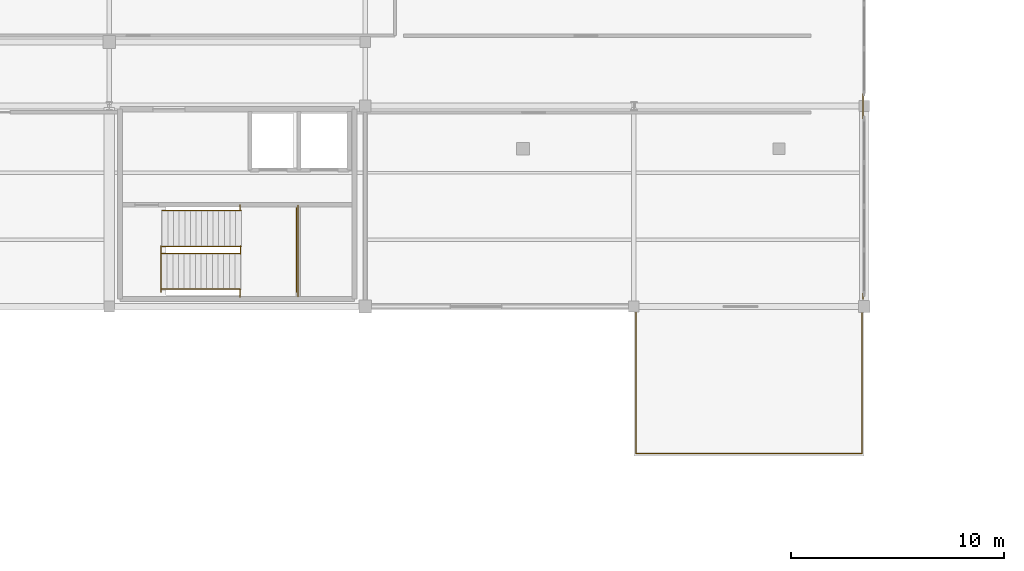
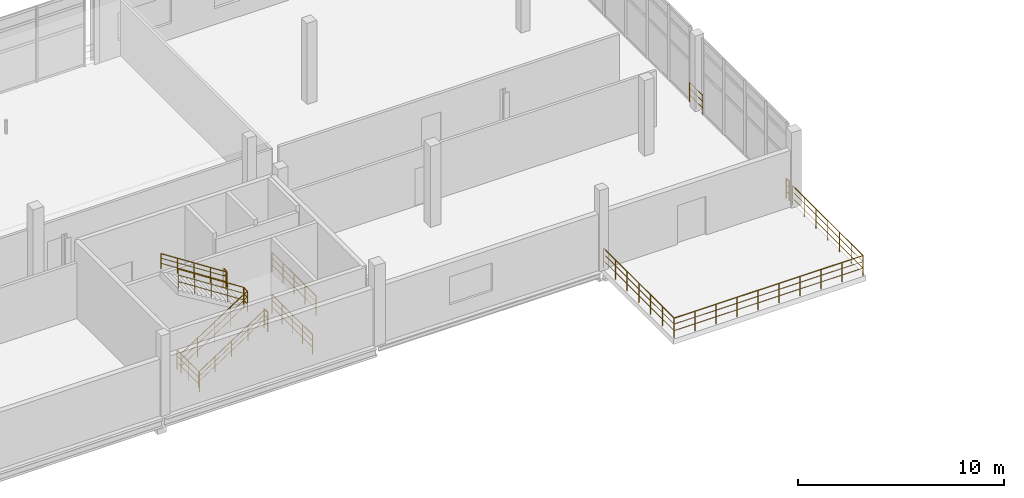
# One storey, part 49 of 52: 15 railings.
"""IFC4 building model written with IfcOpenShell, lengths in metres."""

from ifc_helpers import new_model, si_unit, direction, frame, origin, origin_2d, place, context, subcontext, project, spatial, circle, extrude, material, layer, layer_set, type_object, element, save


model = new_model("IFC4")

# Units and contexts
model_context = context("Model", 3, precision=1e-05, world=origin(), true_north=direction((0.0, 1.0)))
body_context = subcontext(model_context, "Body", "Model", "MODEL_VIEW")
ifc_project = project(units=[si_unit("LENGTHUNIT", "METRE"), si_unit("AREAUNIT", "SQUARE_METRE"), si_unit("VOLUMEUNIT", "CUBIC_METRE"), si_unit("PLANEANGLEUNIT", "RADIAN"), si_unit("MASSUNIT", "GRAM", prefix="KILO"), si_unit("THERMODYNAMICTEMPERATUREUNIT", "KELVIN"), si_unit("POWERUNIT", "WATT")], contexts=[model_context])

# Site, building, storey
site_placement = place(None, origin())
site = spatial("IfcSite", under=ifc_project, at=site_placement, CompositionType="ELEMENT")
building_placement = place(site_placement, origin())
building = spatial("IfcBuilding", under=site, at=building_placement, Name="Solmara Park Aquatics Centre", CompositionType="ELEMENT")
storey_placement = place(building_placement, frame((0.0, 0.0, 9.60009765625)))
storey = spatial("IfcBuildingStorey", under=building, at=storey_placement, Name="L02", CompositionType="ELEMENT", Elevation=9.60009765625)

# Railings
ifc_material_1 = material(Name="Laminated Safety Glass and Stainless Steel Guardrail", Category="steel")
ifc_layer_1 = layer(ifc_material_1, 0.06005859375, Name="Laminated Safety Glass and Stainless Steel Guardrail")
ifc_layer_set_1 = layer_set([ifc_layer_1], Name="Laminated Safety Glass and Stainless Steel Guardrail")
railing_type_1 = type_object("IfcRailingType", Name="ARC-RL-BAL110", PredefinedType="GUARDRAIL", material=ifc_layer_set_1)
railing_1_placement = place(storey_placement, frame((109.300048828125, 101.699951171875, 0.0)))
element("IfcRailing", 1, at=railing_1_placement, inside=storey, type_object=railing_type_1, Name="Belvedere Terrace Guardrail RL-TER-L02-S", PredefinedType="GUARDRAIL", context=body_context, shape_type="SweptSolid", body=[
    extrude(circle(Radius=0.02392578125, at=origin_2d()), frame((0.0, 0.0, 1.15576171875), z_axis=(1.0, 0.0, 0.0), x_axis=(0.0, 1.0, 0.0)), (0.0, 0.0, 1.0), 10.599853515625),
    extrude(circle(Radius=0.01416015625, at=origin_2d()), frame((0.0, 0.0, 0.4130859375), z_axis=(1.0, 0.0, 0.0), x_axis=(0.0, 1.0, 0.0)), (0.0, 0.0, 1.0), 10.599853515625),
    extrude(circle(Radius=0.01416015625, at=origin_2d()), frame((0.0, 0.0, 0.80224609375), z_axis=(1.0, 0.0, 0.0), x_axis=(0.0, 1.0, 0.0)), (0.0, 0.0, 1.0), 10.599853515625),
    extrude(circle(Radius=0.02099609375, at=origin_2d()), origin(), (0.0, 0.0, 1.0), 1.1318359375),
    extrude(circle(Radius=0.02099609375, at=origin_2d()), frame((1.177734375, 0.0, 0.0)), (0.0, 0.0, 1.0), 1.1318359375),
    extrude(circle(Radius=0.02099609375, at=origin_2d()), frame((2.35546875, 0.0, 0.0)), (0.0, 0.0, 1.0), 1.1318359375),
    extrude(circle(Radius=0.02099609375, at=origin_2d()), frame((3.533203125, 0.0, 0.0)), (0.0, 0.0, 1.0), 1.1318359375),
    extrude(circle(Radius=0.02099609375, at=origin_2d()), frame((4.7109375, 0.0, 0.0)), (0.0, 0.0, 1.0), 1.1318359375),
    extrude(circle(Radius=0.02099609375, at=origin_2d()), frame((5.888916015625, 0.0, 0.0)), (0.0, 0.0, 1.0), 1.1318359375),
    extrude(circle(Radius=0.02099609375, at=origin_2d()), frame((7.066650390625, 0.0, 0.0)), (0.0, 0.0, 1.0), 1.1318359375),
    extrude(circle(Radius=0.02099609375, at=origin_2d()), frame((8.244384765625, 0.0, 0.0)), (0.0, 0.0, 1.0), 1.1318359375),
    extrude(circle(Radius=0.02099609375, at=origin_2d()), frame((9.422119140625, 0.0, 0.0)), (0.0, 0.0, 1.0), 1.1318359375),
    extrude(circle(Radius=0.02099609375, at=origin_2d()), frame((10.599853515625, 0.0, 0.0)), (0.0, 0.0, 1.0), 1.1318359375),
])
for number, where, name in (
    (2, (109.300048828125, 101.699951171875, 0.0), "Belvedere Terrace Guardrail RL-TER-L02-W"),
    (3, (119.89990234375, 101.699951171875, 0.0), "Belvedere Terrace Guardrail RL-TER-L02-E"),
):
    element("IfcRailing", number, at=place(storey_placement, frame(where)), inside=storey, type_object=railing_type_1, Name=name, PredefinedType="GUARDRAIL", context=body_context, shape_type="SweptSolid", body=[
        extrude(circle(Radius=0.02392578125, at=origin_2d()), frame((0.0, 0.0, 1.15576171875), z_axis=(0.0, 1.0, 0.0), x_axis=(-1.0, 0.0, 0.0)), (0.0, 0.0, 1.0), 6.85009765625),
        extrude(circle(Radius=0.01416015625, at=origin_2d()), frame((0.0, 0.0, 0.4130859375), z_axis=(0.0, 1.0, 0.0), x_axis=(-1.0, 0.0, 0.0)), (0.0, 0.0, 1.0), 6.85009765625),
        extrude(circle(Radius=0.01416015625, at=origin_2d()), frame((0.0, 0.0, 0.80224609375), z_axis=(0.0, 1.0, 0.0), x_axis=(-1.0, 0.0, 0.0)), (0.0, 0.0, 1.0), 6.85009765625),
        extrude(circle(Radius=0.02099609375, at=origin_2d()), origin(), (0.0, 0.0, 1.0), 1.1318359375),
        extrude(circle(Radius=0.02099609375, at=origin_2d()), frame((0.0, 1.1416015625, 0.0)), (0.0, 0.0, 1.0), 1.1318359375),
        extrude(circle(Radius=0.02099609375, at=origin_2d()), frame((0.0, 2.283447265625, 0.0)), (0.0, 0.0, 1.0), 1.1318359375),
        extrude(circle(Radius=0.02099609375, at=origin_2d()), frame((0.0, 3.425048828125, 0.0)), (0.0, 0.0, 1.0), 1.1318359375),
        extrude(circle(Radius=0.02099609375, at=origin_2d()), frame((0.0, 4.566650390625, 0.0)), (0.0, 0.0, 1.0), 1.1318359375),
        extrude(circle(Radius=0.02099609375, at=origin_2d()), frame((0.0, 5.70849609375, 0.0)), (0.0, 0.0, 1.0), 1.1318359375),
        extrude(circle(Radius=0.02099609375, at=origin_2d()), frame((0.0, 6.85009765625, 0.0)), (0.0, 0.0, 1.0), 1.1318359375),
    ])
ifc_material_2 = material(Name="Brushed Marine-Grade Stainless Steel 316L Handrail", Category="steel")
ifc_layer_2 = layer(ifc_material_2, 0.044921875, Name="Brushed Marine-Grade Stainless Steel 316L Handrail")
ifc_layer_set_2 = layer_set([ifc_layer_2], Name="Brushed Marine-Grade Stainless Steel 316L Handrail")
railing_type_2 = type_object("IfcRailingType", Name="ARC-RL-HND090", PredefinedType="HANDRAIL", material=ifc_layer_set_2)
railing_2_placement = place(storey_placement, frame((87.050048828125, 109.409912109375, 0.159912109375)))
element("IfcRailing", 4, at=railing_2_placement, inside=storey, type_object=railing_type_2, Name="ST-02 Protected Exit Stair (L02 to L03) Flight 1 Outer Handrail", PredefinedType="HANDRAIL", context=body_context, shape_type="SweptSolid", body=[
    extrude(circle(Radius=0.02392578125, at=origin_2d()), frame((0.0, 0.0, 0.89599609375), z_axis=(0.839638341943, 0.0, 0.543145887161), x_axis=(0.0, 1.0, 0.0)), (0.0, 0.0, 1.0), 4.41845703125),
    extrude(circle(Radius=0.01416015625, at=origin_2d()), frame((0.0, 0.0, 0.322021484375), z_axis=(0.839638341943, 0.0, 0.543145887161), x_axis=(0.0, 1.0, 0.0)), (0.0, 0.0, 1.0), 4.41845703125),
    extrude(circle(Radius=0.01416015625, at=origin_2d()), frame((0.0, 0.0, 0.62548828125), z_axis=(0.839638341943, 0.0, 0.543145887161), x_axis=(0.0, 1.0, 0.0)), (0.0, 0.0, 1.0), 4.41845703125),
    extrude(circle(Radius=0.02099609375, at=origin_2d()), origin(), (0.0, 0.0, 1.0), 0.871826171875),
    extrude(circle(Radius=0.02099609375, at=origin_2d()), frame((0.927490234375, 0.0, 0.60009765625)), (0.0, 0.0, 1.0), 0.871826171875),
    extrude(circle(Radius=0.02099609375, at=origin_2d()), frame((1.85498046875, 0.0, 1.199951171875)), (0.0, 0.0, 1.0), 0.871826171875),
    extrude(circle(Radius=0.02099609375, at=origin_2d()), frame((2.782470703125, 0.0, 1.7998046875)), (0.0, 0.0, 1.0), 0.871826171875),
    extrude(circle(Radius=0.02099609375, at=origin_2d()), frame((3.7099609375, 0.0, 2.39990234375)), (0.0, 0.0, 1.0), 0.871826171875),
])
railing_3_placement = place(storey_placement, frame((90.7900390625, 113.090087890625, 2.559814453125)))
element("IfcRailing", 5, at=railing_3_placement, inside=storey, type_object=railing_type_2, Name="ST-02 Protected Exit Stair (L02 to L03) Flight 2 Outer Handrail", PredefinedType="HANDRAIL", context=body_context, shape_type="SweptSolid", body=[
    extrude(circle(Radius=0.02392578125, at=origin_2d()), frame((0.0, 0.0, 0.89599609375), z_axis=(-0.839613143467, 0.0, 0.543184838999), x_axis=(0.0, -1.0, 0.0)), (0.0, 0.0, 1.0), 4.418701171875),
    extrude(circle(Radius=0.01416015625, at=origin_2d()), frame((0.0, 0.0, 0.322021484375), z_axis=(-0.839613143467, 0.0, 0.543184838999), x_axis=(0.0, -1.0, 0.0)), (0.0, 0.0, 1.0), 4.418701171875),
    extrude(circle(Radius=0.01416015625, at=origin_2d()), frame((0.0, 0.0, 0.62548828125), z_axis=(-0.839613143467, 0.0, 0.543184838999), x_axis=(0.0, -1.0, 0.0)), (0.0, 0.0, 1.0), 4.418701171875),
    extrude(circle(Radius=0.02099609375, at=origin_2d()), origin(), (0.0, 0.0, 1.0), 0.871826171875),
    extrude(circle(Radius=0.02099609375, at=origin_2d()), frame((-0.927490234375, 0.0, 0.60009765625)), (0.0, 0.0, 1.0), 0.871826171875),
    extrude(circle(Radius=0.02099609375, at=origin_2d()), frame((-1.85498046875, 0.0, 1.2001953125)), (0.0, 0.0, 1.0), 0.871826171875),
    extrude(circle(Radius=0.02099609375, at=origin_2d()), frame((-2.782470703125, 0.0, 1.800048828125)), (0.0, 0.0, 1.0), 0.871826171875),
    extrude(circle(Radius=0.02099609375, at=origin_2d()), frame((-3.7099609375, 0.0, 2.400146484375)), (0.0, 0.0, 1.0), 0.871826171875),
])
ifc_material_3 = material(Name="Toughened Glass and Stainless Steel Stand Guardrail", Category="steel")
ifc_layer_3 = layer(ifc_material_3, 0.06005859375, Name="Toughened Glass and Stainless Steel Stand Guardrail")
ifc_layer_set_3 = layer_set([ifc_layer_3], Name="Toughened Glass and Stainless Steel Stand Guardrail")
railing_type_3 = type_object("IfcRailingType", Name="ARC-RL-STD110", PredefinedType="GUARDRAIL", material=ifc_layer_set_3)
railing_4_placement = place(storey_placement, frame((119.93994140625, 118.6201171875, 0.0)))
element("IfcRailing", 6, at=railing_4_placement, inside=storey, type_object=railing_type_3, Name="L02 Slab Edge Guardrail 103", PredefinedType="GUARDRAIL", context=body_context, shape_type="SweptSolid", body=[
    extrude(circle(Radius=0.02392578125, at=origin_2d()), frame((0.0, 0.0, 1.15576171875), z_axis=(0.0, -1.0, 0.0), x_axis=(1.0, 0.0, 0.0)), (0.0, 0.0, 1.0), 1.280029296875),
    extrude(circle(Radius=0.01416015625, at=origin_2d()), frame((0.0, 0.0, 0.4130859375), z_axis=(0.0, -1.0, 0.0), x_axis=(1.0, 0.0, 0.0)), (0.0, 0.0, 1.0), 1.280029296875),
    extrude(circle(Radius=0.01416015625, at=origin_2d()), frame((0.0, 0.0, 0.80224609375), z_axis=(0.0, -1.0, 0.0), x_axis=(1.0, 0.0, 0.0)), (0.0, 0.0, 1.0), 1.280029296875),
    extrude(circle(Radius=0.02099609375, at=origin_2d()), origin(), (0.0, 0.0, 1.0), 1.1318359375),
    extrude(circle(Radius=0.02099609375, at=origin_2d()), frame((0.0, -0.64013671875, 0.0)), (0.0, 0.0, 1.0), 1.1318359375),
    extrude(circle(Radius=0.02099609375, at=origin_2d()), frame((0.0, -1.280029296875, 0.0)), (0.0, 0.0, 1.0), 1.1318359375),
])
railing_5_placement = place(storey_placement, frame((119.93994140625, 109.219970703125, 0.0)))
element("IfcRailing", 7, at=railing_5_placement, inside=storey, type_object=railing_type_3, Name="L02 Slab Edge Guardrail 104", PredefinedType="GUARDRAIL", context=body_context, shape_type="SweptSolid", body=[
    extrude(circle(Radius=0.02392578125, at=origin_2d()), frame((0.0, 0.0, 1.15576171875), z_axis=(0.0, -1.0, 0.0), x_axis=(1.0, 0.0, 0.0)), (0.0, 0.0, 1.0), 0.27001953125),
    extrude(circle(Radius=0.01416015625, at=origin_2d()), frame((0.0, 0.0, 0.4130859375), z_axis=(0.0, -1.0, 0.0), x_axis=(1.0, 0.0, 0.0)), (0.0, 0.0, 1.0), 0.27001953125),
    extrude(circle(Radius=0.01416015625, at=origin_2d()), frame((0.0, 0.0, 0.80224609375), z_axis=(0.0, -1.0, 0.0), x_axis=(1.0, 0.0, 0.0)), (0.0, 0.0, 1.0), 0.27001953125),
    extrude(circle(Radius=0.02099609375, at=origin_2d()), origin(), (0.0, 0.0, 1.0), 1.1318359375),
    extrude(circle(Radius=0.02099609375, at=origin_2d()), frame((0.0, -0.27001953125, 0.0)), (0.0, 0.0, 1.0), 1.1318359375),
])
ifc_material_4 = material(Name="Brushed Stainless Steel Guardrail", Category="steel")
ifc_layer_4 = layer(ifc_material_4, 0.050048828125, Name="Brushed Stainless Steel Guardrail")
ifc_layer_set_4 = layer_set([ifc_layer_4], Name="Brushed Stainless Steel Guardrail")
railing_type_4 = type_object("IfcRailingType", Name="ARC-RL-STR110", PredefinedType="GUARDRAIL", material=ifc_layer_set_4)
railing_6_placement = place(storey_placement, frame((87.030029296875, 109.27001953125, 0.0)))
element("IfcRailing", 8, at=railing_6_placement, inside=storey, type_object=railing_type_4, Name="ST-02 Protected Exit Stair (L01 to L02) Arrival Well Guardrail", PredefinedType="GUARDRAIL", context=body_context, shape_type="SweptSolid", body=[
    extrude(circle(Radius=0.02392578125, at=origin_2d()), frame((0.0, 0.0, 1.15576171875), z_axis=(0.0, 1.0, 0.0), x_axis=(-1.0, 0.0, 0.0)), (0.0, 0.0, 1.0), 2.169921875),
    extrude(circle(Radius=0.01416015625, at=origin_2d()), frame((0.0, 0.0, 0.4130859375), z_axis=(0.0, 1.0, 0.0), x_axis=(-1.0, 0.0, 0.0)), (0.0, 0.0, 1.0), 2.169921875),
    extrude(circle(Radius=0.01416015625, at=origin_2d()), frame((0.0, 0.0, 0.80224609375), z_axis=(0.0, 1.0, 0.0), x_axis=(-1.0, 0.0, 0.0)), (0.0, 0.0, 1.0), 2.169921875),
    extrude(circle(Radius=0.02099609375, at=origin_2d()), origin(), (0.0, 0.0, 1.0), 1.1318359375),
    extrude(circle(Radius=0.02099609375, at=origin_2d()), frame((0.0, 1.0849609375, 0.0)), (0.0, 0.0, 1.0), 1.1318359375),
    extrude(circle(Radius=0.02099609375, at=origin_2d()), frame((0.0, 2.169921875, 0.0)), (0.0, 0.0, 1.0), 1.1318359375),
])
railing_7_placement = place(storey_placement, frame((93.3798828125, 109.27001953125, 0.0)))
element("IfcRailing", 9, at=railing_7_placement, inside=storey, type_object=railing_type_4, Name="ST-02 Protected Exit Stair (L01 to L02) Far Well Edge Guardrail", PredefinedType="GUARDRAIL", context=body_context, shape_type="SweptSolid", body=[
    extrude(circle(Radius=0.02392578125, at=origin_2d()), frame((0.0, 0.0, 1.15576171875), z_axis=(0.0, 1.0, 0.0), x_axis=(-1.0, 0.0, 0.0)), (0.0, 0.0, 1.0), 3.9599609375),
    extrude(circle(Radius=0.01416015625, at=origin_2d()), frame((0.0, 0.0, 0.4130859375), z_axis=(0.0, 1.0, 0.0), x_axis=(-1.0, 0.0, 0.0)), (0.0, 0.0, 1.0), 3.9599609375),
    extrude(circle(Radius=0.01416015625, at=origin_2d()), frame((0.0, 0.0, 0.80224609375), z_axis=(0.0, 1.0, 0.0), x_axis=(-1.0, 0.0, 0.0)), (0.0, 0.0, 1.0), 3.9599609375),
    extrude(circle(Radius=0.02099609375, at=origin_2d()), origin(), (0.0, 0.0, 1.0), 1.1318359375),
    extrude(circle(Radius=0.02099609375, at=origin_2d()), frame((0.0, 0.989990234375, 0.0)), (0.0, 0.0, 1.0), 1.1318359375),
    extrude(circle(Radius=0.02099609375, at=origin_2d()), frame((0.0, 1.97998046875, 0.0)), (0.0, 0.0, 1.0), 1.1318359375),
    extrude(circle(Radius=0.02099609375, at=origin_2d()), frame((0.0, 2.969970703125, 0.0)), (0.0, 0.0, 1.0), 1.1318359375),
    extrude(circle(Radius=0.02099609375, at=origin_2d()), frame((0.0, 3.9599609375, 0.0)), (0.0, 0.0, 1.0), 1.1318359375),
])
railing_8_placement = place(storey_placement, frame((87.050048828125, 111.080078125, 0.0)))
element("IfcRailing", 10, at=railing_8_placement, inside=storey, type_object=railing_type_4, Name="ST-02 Protected Exit Stair (L02 to L03) Flight 1 Inner Guardrail", PredefinedType="GUARDRAIL", context=body_context, shape_type="SweptSolid", body=[
    extrude(circle(Radius=0.02392578125, at=origin_2d()), frame((0.0, 0.0, 1.15576171875), z_axis=(0.839638341943, 0.0, 0.543145887161), x_axis=(0.0, 1.0, 0.0)), (0.0, 0.0, 1.0), 4.41845703125),
    extrude(circle(Radius=0.01416015625, at=origin_2d()), frame((0.0, 0.0, 0.4130859375), z_axis=(0.839638341943, 0.0, 0.543145887161), x_axis=(0.0, 1.0, 0.0)), (0.0, 0.0, 1.0), 4.41845703125),
    extrude(circle(Radius=0.01416015625, at=origin_2d()), frame((0.0, 0.0, 0.80224609375), z_axis=(0.839638341943, 0.0, 0.543145887161), x_axis=(0.0, 1.0, 0.0)), (0.0, 0.0, 1.0), 4.41845703125),
    extrude(circle(Radius=0.02099609375, at=origin_2d()), origin(), (0.0, 0.0, 1.0), 1.1318359375),
    extrude(circle(Radius=0.02099609375, at=origin_2d()), frame((0.927490234375, 0.0, 0.60009765625)), (0.0, 0.0, 1.0), 1.1318359375),
    extrude(circle(Radius=0.02099609375, at=origin_2d()), frame((1.85498046875, 0.0, 1.199951171875)), (0.0, 0.0, 1.0), 1.1318359375),
    extrude(circle(Radius=0.02099609375, at=origin_2d()), frame((2.782470703125, 0.0, 1.7998046875)), (0.0, 0.0, 1.0), 1.1318359375),
    extrude(circle(Radius=0.02099609375, at=origin_2d()), frame((3.7099609375, 0.0, 2.39990234375)), (0.0, 0.0, 1.0), 1.1318359375),
])
railing_9_placement = place(storey_placement, frame((90.7900390625, 111.419921875, 2.39990234375)))
element("IfcRailing", 11, at=railing_9_placement, inside=storey, type_object=railing_type_4, Name="ST-02 Protected Exit Stair (L02 to L03) Flight 2 Inner Guardrail", PredefinedType="GUARDRAIL", context=body_context, shape_type="SweptSolid", body=[
    extrude(circle(Radius=0.02392578125, at=origin_2d()), frame((0.0, 0.0, 1.15576171875), z_axis=(-0.839638341943, 0.0, 0.543145887161), x_axis=(0.0, -1.0, 0.0)), (0.0, 0.0, 1.0), 4.41845703125),
    extrude(circle(Radius=0.01416015625, at=origin_2d()), frame((0.0, 0.0, 0.4130859375), z_axis=(-0.839638341943, 0.0, 0.543145887161), x_axis=(0.0, -1.0, 0.0)), (0.0, 0.0, 1.0), 4.41845703125),
    extrude(circle(Radius=0.01416015625, at=origin_2d()), frame((0.0, 0.0, 0.80224609375), z_axis=(-0.839638341943, 0.0, 0.543145887161), x_axis=(0.0, -1.0, 0.0)), (0.0, 0.0, 1.0), 4.41845703125),
    extrude(circle(Radius=0.02099609375, at=origin_2d()), origin(), (0.0, 0.0, 1.0), 1.1318359375),
    extrude(circle(Radius=0.02099609375, at=origin_2d()), frame((-0.927490234375, 0.0, 0.60009765625)), (0.0, 0.0, 1.0), 1.1318359375),
    extrude(circle(Radius=0.02099609375, at=origin_2d()), frame((-1.85498046875, 0.0, 1.199951171875)), (0.0, 0.0, 1.0), 1.1318359375),
    extrude(circle(Radius=0.02099609375, at=origin_2d()), frame((-2.782470703125, 0.0, 1.7998046875)), (0.0, 0.0, 1.0), 1.1318359375),
    extrude(circle(Radius=0.02099609375, at=origin_2d()), frame((-3.7099609375, 0.0, 2.39990234375)), (0.0, 0.0, 1.0), 1.1318359375),
])
railing_10_placement = place(storey_placement, frame((90.760009765625, 111.06005859375, 2.39990234375)))
element("IfcRailing", 12, at=railing_10_placement, inside=storey, type_object=railing_type_4, Name="ST-02 Protected Exit Stair (L02 to L03) Half-Landing Well Guardrail", PredefinedType="GUARDRAIL", context=body_context, shape_type="SweptSolid", body=[
    extrude(circle(Radius=0.02392578125, at=origin_2d()), frame((0.0, 0.0, 1.15576171875), z_axis=(0.0, 1.0, 0.0), x_axis=(-1.0, 0.0, 0.0)), (0.0, 0.0, 1.0), 0.3798828125),
    extrude(circle(Radius=0.01416015625, at=origin_2d()), frame((0.0, 0.0, 0.4130859375), z_axis=(0.0, 1.0, 0.0), x_axis=(-1.0, 0.0, 0.0)), (0.0, 0.0, 1.0), 0.3798828125),
    extrude(circle(Radius=0.01416015625, at=origin_2d()), frame((0.0, 0.0, 0.80224609375), z_axis=(0.0, 1.0, 0.0), x_axis=(-1.0, 0.0, 0.0)), (0.0, 0.0, 1.0), 0.3798828125),
    extrude(circle(Radius=0.02099609375, at=origin_2d()), origin(), (0.0, 0.0, 1.0), 1.1318359375),
    extrude(circle(Radius=0.02099609375, at=origin_2d()), frame((0.0, 0.3798828125, 0.0)), (0.0, 0.0, 1.0), 1.1318359375),
])
railing_11_placement = place(storey_placement, frame((90.72998046875, 109.0400390625, 2.39990234375)))
element("IfcRailing", 13, at=railing_11_placement, inside=storey, type_object=railing_type_4, Name="ST-02 Protected Exit Stair (L02 to L03) Half-Landing South Slot Guardrail", PredefinedType="GUARDRAIL", context=body_context, shape_type="SweptSolid", body=[
    extrude(circle(Radius=0.02392578125, at=origin_2d()), frame((0.0, 0.0, 1.15576171875), z_axis=(0.0, 1.0, 0.0), x_axis=(-1.0, 0.0, 0.0)), (0.0, 0.0, 1.0), 0.35986328125),
    extrude(circle(Radius=0.01416015625, at=origin_2d()), frame((0.0, 0.0, 0.4130859375), z_axis=(0.0, 1.0, 0.0), x_axis=(-1.0, 0.0, 0.0)), (0.0, 0.0, 1.0), 0.35986328125),
    extrude(circle(Radius=0.01416015625, at=origin_2d()), frame((0.0, 0.0, 0.80224609375), z_axis=(0.0, 1.0, 0.0), x_axis=(-1.0, 0.0, 0.0)), (0.0, 0.0, 1.0), 0.35986328125),
    extrude(circle(Radius=0.02099609375, at=origin_2d()), origin(), (0.0, 0.0, 1.0), 1.1318359375),
    extrude(circle(Radius=0.02099609375, at=origin_2d()), frame((0.0, 0.35986328125, 0.0)), (0.0, 0.0, 1.0), 1.1318359375),
])
railing_12_placement = place(storey_placement, frame((90.72998046875, 113.10009765625, 2.39990234375)))
element("IfcRailing", 14, at=railing_12_placement, inside=storey, type_object=railing_type_4, Name="ST-02 Protected Exit Stair (L02 to L03) Half-Landing North Slot Guardrail", PredefinedType="GUARDRAIL", context=body_context, shape_type="SweptSolid", body=[
    extrude(circle(Radius=0.02392578125, at=origin_2d()), frame((0.0, 0.0, 1.15576171875), z_axis=(0.0, 1.0, 0.0), x_axis=(-1.0, 0.0, 0.0)), (0.0, 0.0, 1.0), 0.260009765625),
    extrude(circle(Radius=0.01416015625, at=origin_2d()), frame((0.0, 0.0, 0.4130859375), z_axis=(0.0, 1.0, 0.0), x_axis=(-1.0, 0.0, 0.0)), (0.0, 0.0, 1.0), 0.260009765625),
    extrude(circle(Radius=0.01416015625, at=origin_2d()), frame((0.0, 0.0, 0.80224609375), z_axis=(0.0, 1.0, 0.0), x_axis=(-1.0, 0.0, 0.0)), (0.0, 0.0, 1.0), 0.260009765625),
    extrude(circle(Radius=0.02099609375, at=origin_2d()), origin(), (0.0, 0.0, 1.0), 1.1318359375),
    extrude(circle(Radius=0.02099609375, at=origin_2d()), frame((0.0, 0.260009765625, 0.0)), (0.0, 0.0, 1.0), 1.1318359375),
])
railing_13_placement = place(storey_placement, frame((93.449951171875, 109.06005859375, 2.39990234375)))
element("IfcRailing", 15, at=railing_13_placement, inside=storey, type_object=railing_type_4, Name="ST-02 Protected Exit Stair (L02 to L03) Half-Landing Outer Guardrail", PredefinedType="GUARDRAIL", context=body_context, shape_type="SweptSolid", body=[
    extrude(circle(Radius=0.02392578125, at=origin_2d()), frame((0.0, 0.0, 1.15576171875), z_axis=(0.0, 1.0, 0.0), x_axis=(-1.0, 0.0, 0.0)), (0.0, 0.0, 1.0), 4.280029296875),
    extrude(circle(Radius=0.01416015625, at=origin_2d()), frame((0.0, 0.0, 0.4130859375), z_axis=(0.0, 1.0, 0.0), x_axis=(-1.0, 0.0, 0.0)), (0.0, 0.0, 1.0), 4.280029296875),
    extrude(circle(Radius=0.01416015625, at=origin_2d()), frame((0.0, 0.0, 0.80224609375), z_axis=(0.0, 1.0, 0.0), x_axis=(-1.0, 0.0, 0.0)), (0.0, 0.0, 1.0), 4.280029296875),
    extrude(circle(Radius=0.02099609375, at=origin_2d()), origin(), (0.0, 0.0, 1.0), 1.1318359375),
    extrude(circle(Radius=0.02099609375, at=origin_2d()), frame((0.0, 1.070068359375, 0.0)), (0.0, 0.0, 1.0), 1.1318359375),
    extrude(circle(Radius=0.02099609375, at=origin_2d()), frame((0.0, 2.14013671875, 0.0)), (0.0, 0.0, 1.0), 1.1318359375),
    extrude(circle(Radius=0.02099609375, at=origin_2d()), frame((0.0, 3.2099609375, 0.0)), (0.0, 0.0, 1.0), 1.1318359375),
    extrude(circle(Radius=0.02099609375, at=origin_2d()), frame((0.0, 4.280029296875, 0.0)), (0.0, 0.0, 1.0), 1.1318359375),
])

save(model, "model.ifc")
